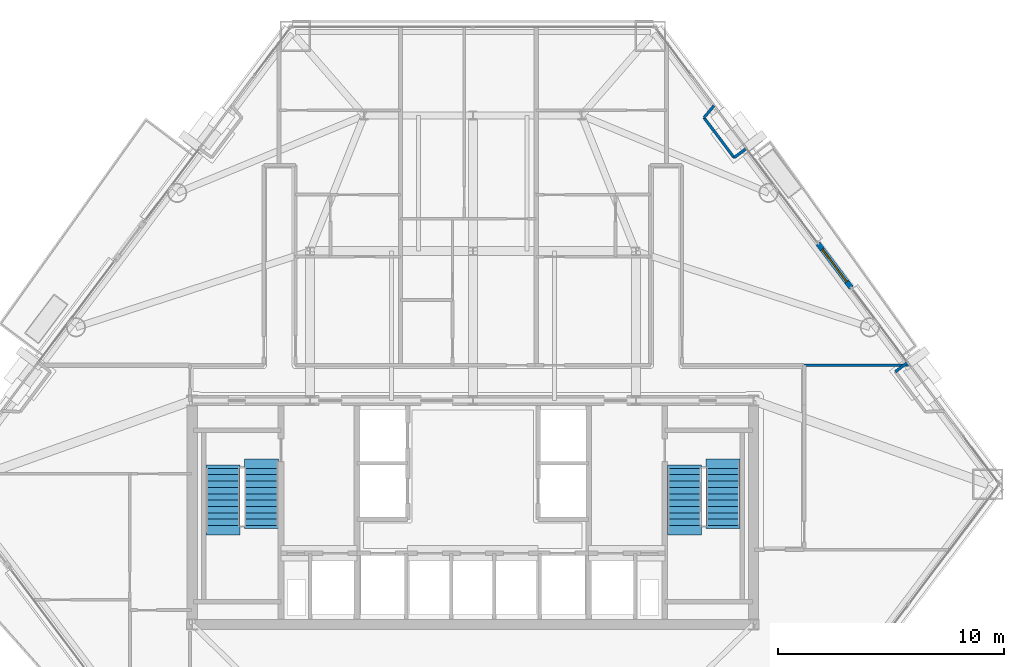
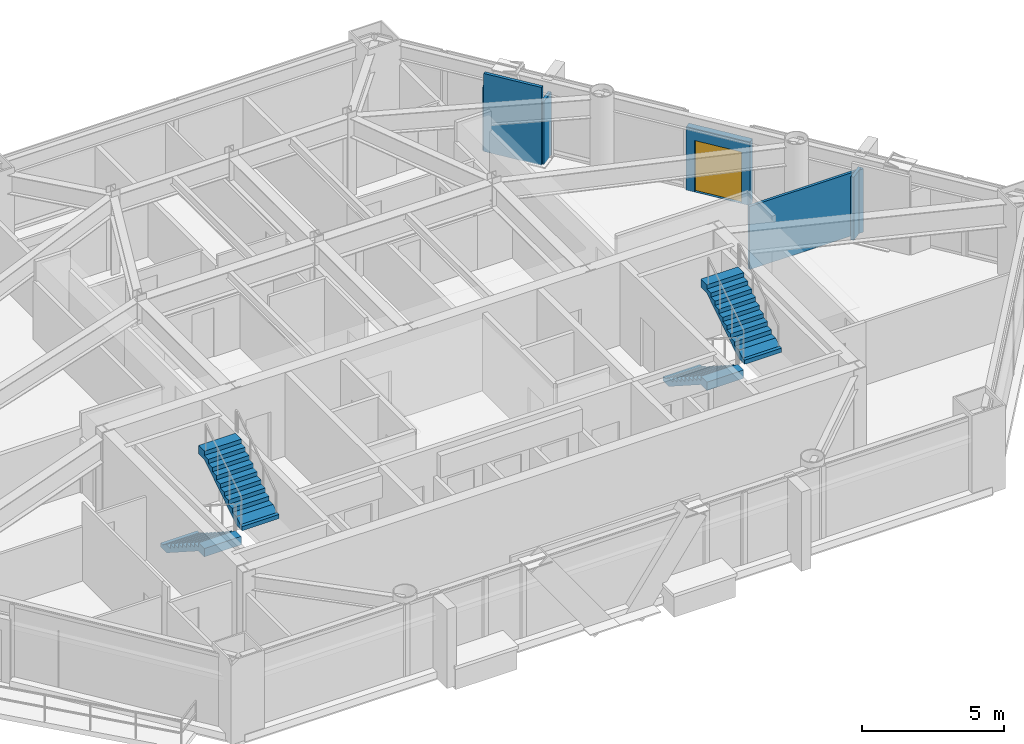
# One storey, part 9 of 11: 6 walls, 4 stair flights, 1 door, 1 opening, 2 elements without a shape of their own.
"""IFC4 building model written with IfcOpenShell, lengths in metres."""

from ifc_helpers import new_model, si_unit, direction, frame, frame_2d, origin, place, context, subcontext, project, spatial, polyline, rectangle, outline, extrude, material, layer, layer_set, type_object, element, fill, aggregate, save


model = new_model("IFC4")

# Units and contexts
model_context = context("Model", 3, precision=1e-05, world=origin(), true_north=direction((0.0, 1.0)))
body_context = subcontext(model_context, "Body", "Model", "MODEL_VIEW")
ifc_project = project(units=[si_unit("LENGTHUNIT", "METRE"), si_unit("AREAUNIT", "SQUARE_METRE"), si_unit("VOLUMEUNIT", "CUBIC_METRE"), si_unit("PLANEANGLEUNIT", "RADIAN"), si_unit("MASSUNIT", "GRAM", prefix="KILO")], contexts=[model_context])

# Site, building, storey
site_placement = place(None, origin())
site = spatial("IfcSite", under=ifc_project, at=site_placement, CompositionType="ELEMENT")
building_placement = place(site_placement, origin())
building = spatial("IfcBuilding", under=site, at=building_placement, Name="Talgorran Terracotta Tower", CompositionType="ELEMENT")
storey_placement = place(building_placement, frame((0.0, 0.0, 38.699951171875)))
storey = spatial("IfcBuildingStorey", under=building, at=storey_placement, Name="L09", CompositionType="ELEMENT", Elevation=38.699951171875)

# Wall, opening, door
ifc_material_1 = material(Name="Concrete C40/50", Category="concrete")
ifc_layer_1 = layer(ifc_material_1, 0.239990234375, Name="WT_BALCONY_SPAND")
ifc_layer_set_1 = layer_set([ifc_layer_1], Name="Concrete C40/50")
wall_type_1 = type_object("IfcWallType", Name="WT_BALCONY_SPAND", PredefinedType="STANDARD", material=ifc_layer_set_1)
wall_1_placement = place(storey_placement, frame((16.72021484375, 0.7900390625, -0.014892578125), z_axis=(0.0, 0.0, 1.0), x_axis=(-0.601647678338, 0.798761585926, 0.0)))
wall_1 = element("IfcWall", 1, at=wall_1_placement, inside=storey, type_object=wall_type_1, Name="WL-L09-BALP-BAL-NE", PredefinedType="STANDARD", context=body_context, shape_type="SweptSolid", body=[
    extrude(rectangle(XDim=2.43994140625, YDim=0.239990234375, at=frame_2d((1.219970703125, 0.0))), origin(), (0.0, 0.0, 1.0), 2.728271484375),
])
opening_placement = place(wall_1_placement, frame((0.320068359375, 0.0, 0.014892578125)))
opening = element("IfcOpeningElement", 2, at=opening_placement, cuts=wall_1, Name="Opening D-BAL-L09-1", PredefinedType="OPENING", context=body_context, shape_type="SweptSolid", body=[
    extrude(rectangle(XDim=1.806048828125, YDim=2.203951171875, at=frame_2d((0.89990234375, 1.10205078125))), frame((0.0, 0.1298828125, 0.0), z_axis=(0.0, -1.0, 0.0), x_axis=(1.0, 0.0, 0.0)), (0.0, 0.0, 1.0), 0.260009765625),
])
ifc_material_2 = material(Name="Thermally Broken Aluminium", Category="aluminium")
door_type = type_object("IfcDoorType", Name="DT_BALC_1800", OperationType="SLIDING_TO_LEFT", PredefinedType="DOOR", material=ifc_material_2)
door_placement = place(opening_placement, origin())
door = element("IfcDoor", 3, at=door_placement, inside=storey, type_object=door_type, Name="DR-L09-BAL-BAL-NE", OperationType="SLIDING_TO_LEFT", OverallHeight=2.199951171875, OverallWidth=1.800048828125, PredefinedType="DOOR", context=body_context, shape_type="SweptSolid", body=[
    extrude(rectangle(XDim=1.800048828125, YDim=2.199951171875, at=frame_2d((0.89990234375, 1.10009765625))), frame((0.0, 0.02490234375, 0.0), z_axis=(0.0, -1.0, 0.0), x_axis=(1.0, 0.0, 0.0)), (0.0, 0.0, 1.0), 0.050048828125),
])
fill(opening, door)

# Walls
ifc_material_3 = material(Name="Lightweight Steel Stud Partition", Category="steel")
ifc_layer_2 = layer(ifc_material_3, 0.10498046875, Name="WT_PART_110")
ifc_layer_set_2 = layer_set([ifc_layer_2], Name="Lightweight Steel Stud Partition")
wall_type_2 = type_object("IfcWallType", Name="WT_PART_110", PredefinedType="PARTITIONING", material=ifc_layer_set_2)
wall_2_placement = place(storey_placement, frame((14.639892578125, -2.639892578125, 0.0), z_axis=(0.0, 0.0, 1.0), x_axis=(1.0, 0.0, 0.0)))
element("IfcWall", 4, at=wall_2_placement, inside=storey, type_object=wall_type_2, Name="WL-L09-W-L09-R32", PredefinedType="PARTITIONING", context=body_context, shape_type="SweptSolid", body=[
    extrude(rectangle(XDim=4.6201171875, YDim=0.10498046875, at=frame_2d((2.31005859375, 0.0))), origin(), (0.0, 0.0, 1.0), 2.71337890625),
])
ifc_material_4 = material(Name="Insulated Steel Stud Plasterboard", Category="steel")
ifc_layer_3 = layer(ifc_material_4, 0.1201171875, Name="WT_PART_120")
ifc_layer_set_3 = layer_set([ifc_layer_3], Name="Insulated Steel Stud Plasterboard")
wall_type_3 = type_object("IfcWallType", Name="WT_PART_120", PredefinedType="PARTITIONING", material=ifc_layer_set_3)
wall_3_placement = place(storey_placement, frame((11.544677734375, 6.531494140625, 0.0), z_axis=(0.0, 0.0, 1.0), x_axis=(-0.60167490335, 0.798741078622, 0.0)))
element("IfcWall", 5, at=wall_3_placement, inside=storey, type_object=wall_type_3, Name="WL-L09-BW-L09-14", PredefinedType="PARTITIONING", context=body_context, shape_type="SweptSolid", body=[
    extrude(rectangle(XDim=2.2138671875, YDim=0.1201171875, at=frame_2d((1.10693359375, 0.0))), origin(), (0.0, 0.0, 1.0), 3.35009765625),
])
wall_4_placement = place(storey_placement, frame((10.212646484375, 8.2998046875, 0.0), z_axis=(0.0, 0.0, 1.0), x_axis=(0.643391917875, 0.765536961886, 0.0)))
element("IfcWall", 6, at=wall_4_placement, inside=storey, type_object=wall_type_3, Name="WL-L09-BW-L09-15", PredefinedType="PARTITIONING", context=body_context, shape_type="SweptSolid", body=[
    extrude(rectangle(XDim=0.6875, YDim=0.1201171875, at=frame_2d((0.34375, 0.0))), origin(), (0.0, 0.0, 1.0), 2.71337890625),
])
wall_5_placement = place(storey_placement, frame((18.66943359375, -2.928466796875, 0.0), z_axis=(0.0, 0.0, 1.0), x_axis=(0.798598820081, 0.601863709294, 0.0)))
element("IfcWall", 7, at=wall_5_placement, inside=storey, type_object=wall_type_3, Name="WL-L09-BW-L09-09", PredefinedType="PARTITIONING", context=body_context, shape_type="SweptSolid", body=[
    extrude(rectangle(XDim=0.670166015625, YDim=0.1201171875, at=frame_2d((0.3349609375, 0.0))), origin(), (0.0, 0.0, 1.0), 2.71337890625),
])
wall_6_placement = place(storey_placement, frame((12.079833984375, 6.9345703125, 0.0), z_axis=(0.0, 0.0, 1.0), x_axis=(-0.798773936271, -0.601631281379, 0.0)))
element("IfcWall", 8, at=wall_6_placement, inside=storey, type_object=wall_type_3, Name="WL-L09-BW-L09-13", PredefinedType="PARTITIONING", context=body_context, shape_type="SweptSolid", body=[
    extrude(rectangle(XDim=0.669921875, YDim=0.1201171875, at=frame_2d((0.3349609375, 0.0))), origin(), (0.0, 0.0, 1.0), 2.71337890625),
])

# Stair, stair flights
stair_type = type_object("IfcStairType", Name="ST_FIRE_SCISSOR", PredefinedType="HALF_TURN_STAIR", material=ifc_material_1)
stair_1_placement = place(storey_placement, origin())
stair_1 = element("IfcStair", 9, at=stair_1_placement, inside=storey, type_object=stair_type, Name="L09 West Protected Fire Stair ST-01", PredefinedType="HALF_TURN_STAIR")
ifc_layer_4 = layer(ifc_material_1, 0.179931640625, Name="STF_RC_1500")
ifc_layer_set_4 = layer_set([ifc_layer_4], Name="Concrete C40/50")
stair_flight_type = type_object("IfcStairFlightType", Name="STF_RC_1500", PredefinedType="STRAIGHT", material=ifc_layer_set_4)
stair_flight_1_placement = place(storey_placement, frame((-11.050048828125, -7.199951171875, 0.0), z_axis=(0.0, 0.0, 1.0), x_axis=(0.0, -1.0, 0.0)))
stair_flight_1 = element("IfcStairFlight", 10, at=stair_flight_1_placement, type_object=stair_flight_type, Name="ST-01 flight 1", NumberOfRisers=10, NumberOfTreads=9, PredefinedType="STRAIGHT", RiserHeight=0.18, TreadLength=0.28, context=body_context, shape_type="SweptSolid", body=[
    extrude(outline(polyline([(-0.139892578125, 0.0), (-0.139892578125, 0.179931640625), (0.0, 0.179931640625), (0.280029296875, 0.360107421875), (0.56005859375, 0.360107421875), (0.56005859375, 0.5400390625), (0.840087890625, 0.5400390625), (0.840087890625, 0.719970703125), (1.1201171875, 0.719970703125), (1.1201171875, 0.89990234375), (1.39990234375, 0.89990234375), (1.39990234375, 1.080078125), (1.679931640625, 1.080078125), (1.679931640625, 1.260009765625), (1.9599609375, 1.260009765625), (1.9599609375, 1.43994140625), (2.239990234375, 1.43994140625), (2.239990234375, 1.6201171875), (2.52001953125, 1.6201171875), (2.52001953125, 1.800048828125), (2.93994140625, 1.800048828125), (2.93994140625, 1.44189453125), (2.52001953125, 1.44189453125), (0.277099609375, 0.0), (-0.139892578125, 0.0)])), frame((0.0, 0.75, 0.0), z_axis=(0.0, -1.0, 0.0), x_axis=(1.0, 0.0, 0.0)), (0.0, 0.0, 1.0), 1.5),
])
stair_flight_2_placement = place(storey_placement, frame((-9.35009765625, -9.719970703125, 1.800048828125), z_axis=(0.0, 0.0, 1.0), x_axis=(0.0, 1.0, 0.0)))
stair_flight_2 = element("IfcStairFlight", 11, at=stair_flight_2_placement, type_object=stair_flight_type, Name="ST-01 flight 2", NumberOfRisers=10, NumberOfTreads=9, PredefinedType="STRAIGHT", RiserHeight=0.18, TreadLength=0.28, context=body_context, shape_type="SweptSolid", body=[
    extrude(outline(polyline([(-0.139892578125, 0.0), (-0.139892578125, 0.179931640625), (0.0, 0.179931640625), (0.280029296875, 0.360107421875), (0.56005859375, 0.360107421875), (0.56005859375, 0.5400390625), (0.840087890625, 0.5400390625), (0.840087890625, 0.719970703125), (1.1201171875, 0.719970703125), (1.1201171875, 0.89990234375), (1.39990234375, 0.89990234375), (1.39990234375, 1.080078125), (1.679931640625, 1.080078125), (1.679931640625, 1.260009765625), (1.9599609375, 1.260009765625), (1.9599609375, 1.43994140625), (2.239990234375, 1.43994140625), (2.239990234375, 1.6201171875), (2.52001953125, 1.6201171875), (2.52001953125, 1.800048828125), (2.93994140625, 1.800048828125), (2.93994140625, 1.44189453125), (2.52001953125, 1.44189453125), (0.277099609375, 0.0), (-0.139892578125, 0.0)])), frame((0.0, 0.75, 0.0), z_axis=(0.0, -1.0, 0.0), x_axis=(1.0, 0.0, 0.0)), (0.0, 0.0, 1.0), 1.5),
])
aggregate(stair_1, [stair_flight_1, stair_flight_2])

stair_2_placement = place(storey_placement, origin())
stair_2 = element("IfcStair", 12, at=stair_2_placement, inside=storey, type_object=stair_type, Name="L09 East Protected Fire Stair ST-02", PredefinedType="HALF_TURN_STAIR")
stair_flight_3_placement = place(storey_placement, frame((9.35009765625, -7.199951171875, 0.0), z_axis=(0.0, 0.0, 1.0), x_axis=(0.0, -1.0, 0.0)))
stair_flight_3 = element("IfcStairFlight", 13, at=stair_flight_3_placement, type_object=stair_flight_type, Name="ST-02 flight 1", NumberOfRisers=10, NumberOfTreads=9, PredefinedType="STRAIGHT", RiserHeight=0.18, TreadLength=0.28, context=body_context, shape_type="SweptSolid", body=[
    extrude(outline(polyline([(-0.139892578125, 0.0), (-0.139892578125, 0.179931640625), (0.0, 0.179931640625), (0.280029296875, 0.360107421875), (0.56005859375, 0.360107421875), (0.56005859375, 0.5400390625), (0.840087890625, 0.5400390625), (0.840087890625, 0.719970703125), (1.1201171875, 0.719970703125), (1.1201171875, 0.89990234375), (1.39990234375, 0.89990234375), (1.39990234375, 1.080078125), (1.679931640625, 1.080078125), (1.679931640625, 1.260009765625), (1.9599609375, 1.260009765625), (1.9599609375, 1.43994140625), (2.239990234375, 1.43994140625), (2.239990234375, 1.6201171875), (2.52001953125, 1.6201171875), (2.52001953125, 1.800048828125), (2.93994140625, 1.800048828125), (2.93994140625, 1.44189453125), (2.52001953125, 1.44189453125), (0.277099609375, 0.0), (-0.139892578125, 0.0)])), frame((0.0, 0.75, 0.0), z_axis=(0.0, -1.0, 0.0), x_axis=(1.0, 0.0, 0.0)), (0.0, 0.0, 1.0), 1.5),
])
stair_flight_4_placement = place(storey_placement, frame((11.050048828125, -9.719970703125, 1.800048828125), z_axis=(0.0, 0.0, 1.0), x_axis=(0.0, 1.0, 0.0)))
stair_flight_4 = element("IfcStairFlight", 14, at=stair_flight_4_placement, type_object=stair_flight_type, Name="ST-02 flight 2", NumberOfRisers=10, NumberOfTreads=9, PredefinedType="STRAIGHT", RiserHeight=0.18, TreadLength=0.28, context=body_context, shape_type="SweptSolid", body=[
    extrude(outline(polyline([(-0.139892578125, 0.0), (-0.139892578125, 0.179931640625), (0.0, 0.179931640625), (0.280029296875, 0.360107421875), (0.56005859375, 0.360107421875), (0.56005859375, 0.5400390625), (0.840087890625, 0.5400390625), (0.840087890625, 0.719970703125), (1.1201171875, 0.719970703125), (1.1201171875, 0.89990234375), (1.39990234375, 0.89990234375), (1.39990234375, 1.080078125), (1.679931640625, 1.080078125), (1.679931640625, 1.260009765625), (1.9599609375, 1.260009765625), (1.9599609375, 1.43994140625), (2.239990234375, 1.43994140625), (2.239990234375, 1.6201171875), (2.52001953125, 1.6201171875), (2.52001953125, 1.800048828125), (2.93994140625, 1.800048828125), (2.93994140625, 1.44189453125), (2.52001953125, 1.44189453125), (0.277099609375, 0.0), (-0.139892578125, 0.0)])), frame((0.0, 0.75, 0.0), z_axis=(0.0, -1.0, 0.0), x_axis=(1.0, 0.0, 0.0)), (0.0, 0.0, 1.0), 1.5),
])
aggregate(stair_2, [stair_flight_3, stair_flight_4])

save(model, "model.ifc")
